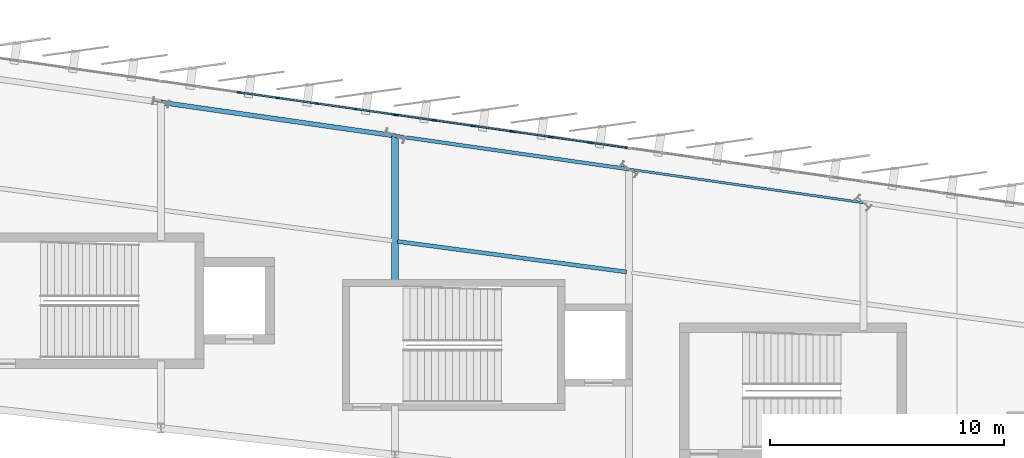
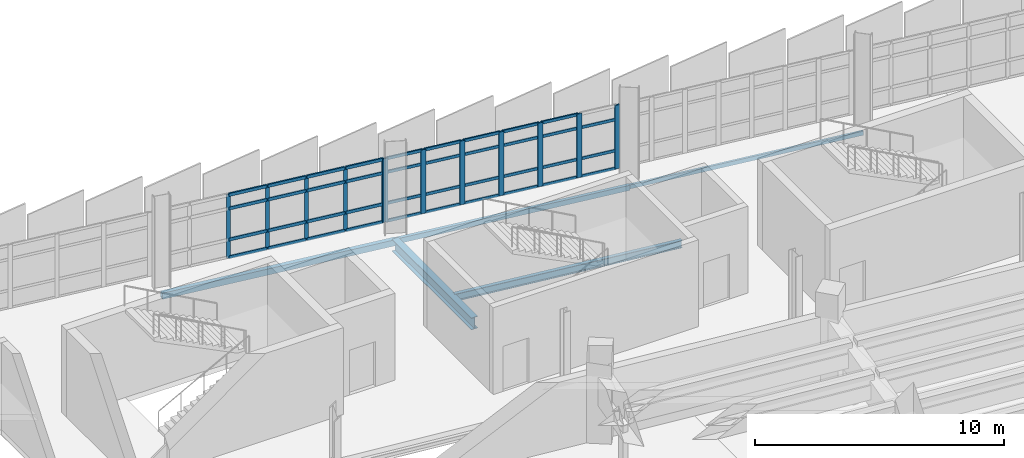
# One storey, part 54 of 120: 51 members, 5 beams, 2 elements without a shape of their own.
"""IFC4 building model written with IfcOpenShell, lengths in metres."""

from ifc_helpers import new_model, si_unit, direction, frame, origin, origin_2d, place, context, subcontext, project, spatial, rectangle, hollow_rectangle, i_section, extrude, material, layer, layer_set, material_profile, profile_set, type_object, element, aggregate, save


model = new_model("IFC4")

# Units and contexts
model_context = context("Model", 3, precision=1e-05, world=origin(), true_north=direction((0.0, 1.0)))
body_context = subcontext(model_context, "Body", "Model", "MODEL_VIEW")
ifc_project = project(units=[si_unit("LENGTHUNIT", "METRE"), si_unit("AREAUNIT", "SQUARE_METRE"), si_unit("VOLUMEUNIT", "CUBIC_METRE"), si_unit("PLANEANGLEUNIT", "RADIAN"), si_unit("MASSUNIT", "GRAM", prefix="KILO")], contexts=[model_context])

# Site, building, storey
site_placement = place(None, origin())
site = spatial("IfcSite", under=ifc_project, at=site_placement, CompositionType="ELEMENT")
building_placement = place(site_placement, origin())
building = spatial("IfcBuilding", under=site, at=building_placement, Name="Sohan Crest Arena", CompositionType="ELEMENT")
storey_placement = place(building_placement, frame((0.0, 0.0, 13.5)))
storey = spatial("IfcBuildingStorey", under=building, at=storey_placement, Name="L03", CompositionType="ELEMENT", Elevation=13.5)

# Curtain wall, members
ifc_material_1 = material(Name="Thermally broken anodised aluminium", Category="aluminium")
ifc_layer_1 = layer(ifc_material_1, 0.219970703125, Name="Thermally broken anodised aluminium")
ifc_layer_set_1 = layer_set([ifc_layer_1], Name="Thermally broken anodised aluminium")
curtain_wall_type_1 = type_object("IfcCurtainWallType", Name="ARC-CW03", PredefinedType="NOTDEFINED", material=ifc_layer_set_1)
curtain_wall_1_placement = place(storey_placement, origin())
curtain_wall_1 = element("IfcCurtainWall", 1, at=curtain_wall_1_placement, inside=storey, type_object=curtain_wall_type_1, Name="Unitised curtain wall CW-110", PredefinedType="NOTDEFINED")
ifc_material_profile_1 = material_profile(ifc_material_1, rectangle(XDim=0.06005859375, YDim=0.159912109375, at=origin_2d()), Name="ALU-MULL 60x160")
ifc_profile_set_1 = profile_set([ifc_material_profile_1], Name="Thermally broken anodised aluminium")
member_type_1 = type_object("IfcMemberType", Name="ARC-CW-ML01", PredefinedType="MULLION", material=ifc_profile_set_1)
member_1_placement = place(storey_placement, frame((117.97021484375, 124.047119140625, 0.0), z_axis=(0.0, 0.0, 1.0), x_axis=(-0.141365918403, -0.989957411768, 0.0)))
member_1 = element("IfcMember", 2, at=member_1_placement, type_object=member_type_1, Name="CW-110 mullion 1", PredefinedType="MULLION", context=body_context, shape_type="SweptSolid", body=[
    extrude(rectangle(XDim=0.06005859375, YDim=0.159912109375, at=origin_2d()), origin(), (0.0, 0.0, 1.0), 3.1201171875),
])
member_2_placement = place(storey_placement, frame((116.333251953125, 124.281005859375, 0.0), z_axis=(0.0, 0.0, 1.0), x_axis=(-0.141365918403, -0.989957411768, 0.0)))
member_2 = element("IfcMember", 3, at=member_2_placement, type_object=member_type_1, Name="CW-110 mullion 2", PredefinedType="MULLION", context=body_context, shape_type="SweptSolid", body=[
    extrude(rectangle(XDim=0.06005859375, YDim=0.159912109375, at=origin_2d()), origin(), (0.0, 0.0, 1.0), 3.1201171875),
])
member_3_placement = place(storey_placement, frame((114.666748046875, 124.51904296875, 0.0), z_axis=(0.0, 0.0, 1.0), x_axis=(-0.141365918403, -0.989957411768, 0.0)))
member_3 = element("IfcMember", 4, at=member_3_placement, type_object=member_type_1, Name="CW-110 mullion 3", PredefinedType="MULLION", context=body_context, shape_type="SweptSolid", body=[
    extrude(rectangle(XDim=0.06005859375, YDim=0.159912109375, at=origin_2d()), origin(), (0.0, 0.0, 1.0), 3.1201171875),
])
member_4_placement = place(storey_placement, frame((113.0, 124.757080078125, 0.0), z_axis=(0.0, 0.0, 1.0), x_axis=(-0.141365918403, -0.989957411768, 0.0)))
member_4 = element("IfcMember", 5, at=member_4_placement, type_object=member_type_1, Name="CW-110 mullion 4", PredefinedType="MULLION", context=body_context, shape_type="SweptSolid", body=[
    extrude(rectangle(XDim=0.06005859375, YDim=0.159912109375, at=origin_2d()), origin(), (0.0, 0.0, 1.0), 3.1201171875),
])
member_5_placement = place(storey_placement, frame((111.333251953125, 124.9951171875, 0.0), z_axis=(0.0, 0.0, 1.0), x_axis=(-0.141365918403, -0.989957411768, 0.0)))
member_5 = element("IfcMember", 6, at=member_5_placement, type_object=member_type_1, Name="CW-110 mullion 5", PredefinedType="MULLION", context=body_context, shape_type="SweptSolid", body=[
    extrude(rectangle(XDim=0.06005859375, YDim=0.159912109375, at=origin_2d()), origin(), (0.0, 0.0, 1.0), 3.1201171875),
])

ifc_layer_2 = layer(ifc_material_1, 0.199951171875, Name="Thermally broken anodised aluminium")
ifc_layer_set_2 = layer_set([ifc_layer_2], Name="Thermally broken anodised aluminium")
curtain_wall_type_2 = type_object("IfcCurtainWallType", Name="ARC-CW02", PredefinedType="NOTDEFINED", material=ifc_layer_set_2)
curtain_wall_2_placement = place(storey_placement, origin())
curtain_wall_2 = element("IfcCurtainWall", 7, at=curtain_wall_2_placement, inside=storey, type_object=curtain_wall_type_2, Name="Unitised curtain wall CW-109", PredefinedType="NOTDEFINED")
ifc_material_profile_2 = material_profile(ifc_material_1, rectangle(XDim=0.074951171875, YDim=0.219970703125, at=origin_2d()), Name="ALU-MULL 75x220")
ifc_profile_set_2 = profile_set([ifc_material_profile_2], Name="Thermally broken anodised aluminium")
member_type_2 = type_object("IfcMemberType", Name="ARC-CW-ML04", PredefinedType="MULLION", material=ifc_profile_set_2)
member_6_placement = place(storey_placement, frame((127.962890625, 122.619384765625, 0.0), z_axis=(0.0, 0.0, 1.0), x_axis=(-0.141462933734, -0.989943553128, 0.0)))
member_6 = element("IfcMember", 8, at=member_6_placement, type_object=member_type_2, Name="CW-109 mullion 1", PredefinedType="MULLION", context=body_context, shape_type="SweptSolid", body=[
    extrude(rectangle(XDim=0.074951171875, YDim=0.219970703125, at=origin_2d()), origin(), (0.0, 0.0, 1.0), 3.1201171875),
])
member_7_placement = place(storey_placement, frame((126.333251953125, 122.85205078125, 0.0), z_axis=(0.0, 0.0, 1.0), x_axis=(-0.141462933734, -0.989943553128, 0.0)))
member_7 = element("IfcMember", 9, at=member_7_placement, type_object=member_type_2, Name="CW-109 mullion 2", PredefinedType="MULLION", context=body_context, shape_type="SweptSolid", body=[
    extrude(rectangle(XDim=0.074951171875, YDim=0.219970703125, at=origin_2d()), origin(), (0.0, 0.0, 1.0), 3.1201171875),
])
member_8_placement = place(storey_placement, frame((124.666748046875, 123.09033203125, 0.0), z_axis=(0.0, 0.0, 1.0), x_axis=(-0.141462933734, -0.989943553128, 0.0)))
member_8 = element("IfcMember", 10, at=member_8_placement, type_object=member_type_2, Name="CW-109 mullion 3", PredefinedType="MULLION", context=body_context, shape_type="SweptSolid", body=[
    extrude(rectangle(XDim=0.074951171875, YDim=0.219970703125, at=origin_2d()), origin(), (0.0, 0.0, 1.0), 3.1201171875),
])
member_9_placement = place(storey_placement, frame((123.0, 123.32861328125, 0.0), z_axis=(0.0, 0.0, 1.0), x_axis=(-0.141462933734, -0.989943553128, 0.0)))
member_9 = element("IfcMember", 11, at=member_9_placement, type_object=member_type_2, Name="CW-109 mullion 4", PredefinedType="MULLION", context=body_context, shape_type="SweptSolid", body=[
    extrude(rectangle(XDim=0.074951171875, YDim=0.219970703125, at=origin_2d()), origin(), (0.0, 0.0, 1.0), 3.1201171875),
])
member_10_placement = place(storey_placement, frame((121.333251953125, 123.566650390625, 0.0), z_axis=(0.0, 0.0, 1.0), x_axis=(-0.141462933734, -0.989943553128, 0.0)))
member_10 = element("IfcMember", 12, at=member_10_placement, type_object=member_type_2, Name="CW-109 mullion 5", PredefinedType="MULLION", context=body_context, shape_type="SweptSolid", body=[
    extrude(rectangle(XDim=0.074951171875, YDim=0.219970703125, at=origin_2d()), origin(), (0.0, 0.0, 1.0), 3.1201171875),
])
member_11_placement = place(storey_placement, frame((119.666748046875, 123.804931640625, 0.0), z_axis=(0.0, 0.0, 1.0), x_axis=(-0.141462933734, -0.989943553128, 0.0)))
member_11 = element("IfcMember", 13, at=member_11_placement, type_object=member_type_2, Name="CW-109 mullion 6", PredefinedType="MULLION", context=body_context, shape_type="SweptSolid", body=[
    extrude(rectangle(XDim=0.074951171875, YDim=0.219970703125, at=origin_2d()), origin(), (0.0, 0.0, 1.0), 3.1201171875),
])
member_12_placement = place(storey_placement, frame((118.037109375, 124.03759765625, 0.0), z_axis=(0.0, 0.0, 1.0), x_axis=(-0.141462933734, -0.989943553128, 0.0)))
member_12 = element("IfcMember", 14, at=member_12_placement, type_object=member_type_2, Name="CW-109 mullion 7", PredefinedType="MULLION", context=body_context, shape_type="SweptSolid", body=[
    extrude(rectangle(XDim=0.074951171875, YDim=0.219970703125, at=origin_2d()), origin(), (0.0, 0.0, 1.0), 3.1201171875),
])
ifc_material_profile_3 = material_profile(ifc_material_1, rectangle(XDim=0.06494140625, YDim=0.139892578125, at=origin_2d()), Name="ALU-TRAN 65x140")
ifc_profile_set_3 = profile_set([ifc_material_profile_3], Name="Thermally broken anodised aluminium")
member_type_3 = type_object("IfcMemberType", Name="ARC-CW-TR02", PredefinedType="USERDEFINED", material=ifc_profile_set_3)
member_13_placement = place(storey_placement, frame((127.92578125, 122.62451171875, 0.032470703125), z_axis=(-0.989930839365, 0.141551874849, 0.0), x_axis=(-0.141551874849, -0.989930839365, 0.0)))
member_13 = element("IfcMember", 15, at=member_13_placement, type_object=member_type_3, Name="CW-109 transom 1.1", ObjectType="TRANSOM", PredefinedType="USERDEFINED", context=body_context, shape_type="SweptSolid", body=[
    extrude(rectangle(XDim=0.06494140625, YDim=0.139892578125, at=origin_2d()), origin(), (0.0, 0.0, 1.0), 1.5712890625),
])
member_14_placement = place(storey_placement, frame((127.92578125, 122.62451171875, 0.89990234375), z_axis=(-0.989930839365, 0.141551874849, 0.0), x_axis=(-0.141551874849, -0.989930839365, 0.0)))
member_14 = element("IfcMember", 16, at=member_14_placement, type_object=member_type_3, Name="CW-109 transom 1.2", ObjectType="TRANSOM", PredefinedType="USERDEFINED", context=body_context, shape_type="SweptSolid", body=[
    extrude(rectangle(XDim=0.06494140625, YDim=0.139892578125, at=origin_2d()), origin(), (0.0, 0.0, 1.0), 1.5712890625),
])
member_15_placement = place(storey_placement, frame((127.92578125, 122.62451171875, 2.419921875), z_axis=(-0.989930839365, 0.141551874849, 0.0), x_axis=(-0.141551874849, -0.989930839365, 0.0)))
member_15 = element("IfcMember", 17, at=member_15_placement, type_object=member_type_3, Name="CW-109 transom 1.3", ObjectType="TRANSOM", PredefinedType="USERDEFINED", context=body_context, shape_type="SweptSolid", body=[
    extrude(rectangle(XDim=0.06494140625, YDim=0.139892578125, at=origin_2d()), origin(), (0.0, 0.0, 1.0), 1.5712890625),
])
member_16_placement = place(storey_placement, frame((126.296142578125, 122.857421875, 0.032470703125), z_axis=(-0.989943421339, 0.141463855978, 0.0), x_axis=(-0.141463855978, -0.989943421339, 0.0)))
member_16 = element("IfcMember", 18, at=member_16_placement, type_object=member_type_3, Name="CW-109 transom 2.1", ObjectType="TRANSOM", PredefinedType="USERDEFINED", context=body_context, shape_type="SweptSolid", body=[
    extrude(rectangle(XDim=0.06494140625, YDim=0.139892578125, at=origin_2d()), origin(), (0.0, 0.0, 1.0), 1.6083984375),
])
member_17_placement = place(storey_placement, frame((126.296142578125, 122.857421875, 0.89990234375), z_axis=(-0.989943421339, 0.141463855978, 0.0), x_axis=(-0.141463855978, -0.989943421339, 0.0)))
member_17 = element("IfcMember", 19, at=member_17_placement, type_object=member_type_3, Name="CW-109 transom 2.2", ObjectType="TRANSOM", PredefinedType="USERDEFINED", context=body_context, shape_type="SweptSolid", body=[
    extrude(rectangle(XDim=0.06494140625, YDim=0.139892578125, at=origin_2d()), origin(), (0.0, 0.0, 1.0), 1.6083984375),
])
member_18_placement = place(storey_placement, frame((126.296142578125, 122.857421875, 2.419921875), z_axis=(-0.989943421339, 0.141463855978, 0.0), x_axis=(-0.141463855978, -0.989943421339, 0.0)))
member_18 = element("IfcMember", 20, at=member_18_placement, type_object=member_type_3, Name="CW-109 transom 2.3", ObjectType="TRANSOM", PredefinedType="USERDEFINED", context=body_context, shape_type="SweptSolid", body=[
    extrude(rectangle(XDim=0.06494140625, YDim=0.139892578125, at=origin_2d()), origin(), (0.0, 0.0, 1.0), 1.6083984375),
])
member_19_placement = place(storey_placement, frame((126.296142578125, 122.857421875, 3.08740234375), z_axis=(-0.989943421339, 0.141463855978, 0.0), x_axis=(-0.141463855978, -0.989943421339, 0.0)))
member_19 = element("IfcMember", 21, at=member_19_placement, type_object=member_type_3, Name="CW-109 transom 2.4", ObjectType="TRANSOM", PredefinedType="USERDEFINED", context=body_context, shape_type="SweptSolid", body=[
    extrude(rectangle(XDim=0.06494140625, YDim=0.139892578125, at=origin_2d()), origin(), (0.0, 0.0, 1.0), 1.6083984375),
])
member_20_placement = place(storey_placement, frame((124.629638671875, 123.095703125, 0.032470703125), z_axis=(-0.989946458184, 0.141442602948, 0.0), x_axis=(-0.141442602948, -0.989946458184, 0.0)))
member_20 = element("IfcMember", 22, at=member_20_placement, type_object=member_type_3, Name="CW-109 transom 3.1", ObjectType="TRANSOM", PredefinedType="USERDEFINED", context=body_context, shape_type="SweptSolid", body=[
    extrude(rectangle(XDim=0.06494140625, YDim=0.139892578125, at=origin_2d()), origin(), (0.0, 0.0, 1.0), 1.608642578125),
])
member_21_placement = place(storey_placement, frame((124.629638671875, 123.095703125, 0.89990234375), z_axis=(-0.989946458184, 0.141442602948, 0.0), x_axis=(-0.141442602948, -0.989946458184, 0.0)))
member_21 = element("IfcMember", 23, at=member_21_placement, type_object=member_type_3, Name="CW-109 transom 3.2", ObjectType="TRANSOM", PredefinedType="USERDEFINED", context=body_context, shape_type="SweptSolid", body=[
    extrude(rectangle(XDim=0.06494140625, YDim=0.139892578125, at=origin_2d()), origin(), (0.0, 0.0, 1.0), 1.608642578125),
])
member_22_placement = place(storey_placement, frame((124.629638671875, 123.095703125, 2.419921875), z_axis=(-0.989946458184, 0.141442602948, 0.0), x_axis=(-0.141442602948, -0.989946458184, 0.0)))
member_22 = element("IfcMember", 24, at=member_22_placement, type_object=member_type_3, Name="CW-109 transom 3.3", ObjectType="TRANSOM", PredefinedType="USERDEFINED", context=body_context, shape_type="SweptSolid", body=[
    extrude(rectangle(XDim=0.06494140625, YDim=0.139892578125, at=origin_2d()), origin(), (0.0, 0.0, 1.0), 1.608642578125),
])
member_23_placement = place(storey_placement, frame((124.629638671875, 123.095703125, 3.08740234375), z_axis=(-0.989946458184, 0.141442602948, 0.0), x_axis=(-0.141442602948, -0.989946458184, 0.0)))
member_23 = element("IfcMember", 25, at=member_23_placement, type_object=member_type_3, Name="CW-109 transom 3.4", ObjectType="TRANSOM", PredefinedType="USERDEFINED", context=body_context, shape_type="SweptSolid", body=[
    extrude(rectangle(XDim=0.06494140625, YDim=0.139892578125, at=origin_2d()), origin(), (0.0, 0.0, 1.0), 1.608642578125),
])
member_24_placement = place(storey_placement, frame((122.962890625, 123.333740234375, 0.032470703125), z_axis=(-0.989946458184, 0.141442602948, 0.0), x_axis=(-0.141442602948, -0.989946458184, 0.0)))
member_24 = element("IfcMember", 26, at=member_24_placement, type_object=member_type_3, Name="CW-109 transom 4.1", ObjectType="TRANSOM", PredefinedType="USERDEFINED", context=body_context, shape_type="SweptSolid", body=[
    extrude(rectangle(XDim=0.06494140625, YDim=0.139892578125, at=origin_2d()), origin(), (0.0, 0.0, 1.0), 1.608642578125),
])
member_25_placement = place(storey_placement, frame((122.962890625, 123.333740234375, 0.89990234375), z_axis=(-0.989946458184, 0.141442602948, 0.0), x_axis=(-0.141442602948, -0.989946458184, 0.0)))
member_25 = element("IfcMember", 27, at=member_25_placement, type_object=member_type_3, Name="CW-109 transom 4.2", ObjectType="TRANSOM", PredefinedType="USERDEFINED", context=body_context, shape_type="SweptSolid", body=[
    extrude(rectangle(XDim=0.06494140625, YDim=0.139892578125, at=origin_2d()), origin(), (0.0, 0.0, 1.0), 1.608642578125),
])
member_26_placement = place(storey_placement, frame((122.962890625, 123.333740234375, 2.419921875), z_axis=(-0.989946458184, 0.141442602948, 0.0), x_axis=(-0.141442602948, -0.989946458184, 0.0)))
member_26 = element("IfcMember", 28, at=member_26_placement, type_object=member_type_3, Name="CW-109 transom 4.3", ObjectType="TRANSOM", PredefinedType="USERDEFINED", context=body_context, shape_type="SweptSolid", body=[
    extrude(rectangle(XDim=0.06494140625, YDim=0.139892578125, at=origin_2d()), origin(), (0.0, 0.0, 1.0), 1.608642578125),
])
member_27_placement = place(storey_placement, frame((122.962890625, 123.333740234375, 3.08740234375), z_axis=(-0.989946458184, 0.141442602948, 0.0), x_axis=(-0.141442602948, -0.989946458184, 0.0)))
member_27 = element("IfcMember", 29, at=member_27_placement, type_object=member_type_3, Name="CW-109 transom 4.4", ObjectType="TRANSOM", PredefinedType="USERDEFINED", context=body_context, shape_type="SweptSolid", body=[
    extrude(rectangle(XDim=0.06494140625, YDim=0.139892578125, at=origin_2d()), origin(), (0.0, 0.0, 1.0), 1.608642578125),
])
member_28_placement = place(storey_placement, frame((121.296142578125, 123.572021484375, 0.032470703125), z_axis=(-0.989943421339, 0.141463855978, 0.0), x_axis=(-0.141463855978, -0.989943421339, 0.0)))
member_28 = element("IfcMember", 30, at=member_28_placement, type_object=member_type_3, Name="CW-109 transom 5.1", ObjectType="TRANSOM", PredefinedType="USERDEFINED", context=body_context, shape_type="SweptSolid", body=[
    extrude(rectangle(XDim=0.06494140625, YDim=0.139892578125, at=origin_2d()), origin(), (0.0, 0.0, 1.0), 1.6083984375),
])
member_29_placement = place(storey_placement, frame((121.296142578125, 123.572021484375, 0.89990234375), z_axis=(-0.989943421339, 0.141463855978, 0.0), x_axis=(-0.141463855978, -0.989943421339, 0.0)))
member_29 = element("IfcMember", 31, at=member_29_placement, type_object=member_type_3, Name="CW-109 transom 5.2", ObjectType="TRANSOM", PredefinedType="USERDEFINED", context=body_context, shape_type="SweptSolid", body=[
    extrude(rectangle(XDim=0.06494140625, YDim=0.139892578125, at=origin_2d()), origin(), (0.0, 0.0, 1.0), 1.6083984375),
])
member_30_placement = place(storey_placement, frame((121.296142578125, 123.572021484375, 2.419921875), z_axis=(-0.989943421339, 0.141463855978, 0.0), x_axis=(-0.141463855978, -0.989943421339, 0.0)))
member_30 = element("IfcMember", 32, at=member_30_placement, type_object=member_type_3, Name="CW-109 transom 5.3", ObjectType="TRANSOM", PredefinedType="USERDEFINED", context=body_context, shape_type="SweptSolid", body=[
    extrude(rectangle(XDim=0.06494140625, YDim=0.139892578125, at=origin_2d()), origin(), (0.0, 0.0, 1.0), 1.6083984375),
])
member_31_placement = place(storey_placement, frame((121.296142578125, 123.572021484375, 3.08740234375), z_axis=(-0.989943421339, 0.141463855978, 0.0), x_axis=(-0.141463855978, -0.989943421339, 0.0)))
member_31 = element("IfcMember", 33, at=member_31_placement, type_object=member_type_3, Name="CW-109 transom 5.4", ObjectType="TRANSOM", PredefinedType="USERDEFINED", context=body_context, shape_type="SweptSolid", body=[
    extrude(rectangle(XDim=0.06494140625, YDim=0.139892578125, at=origin_2d()), origin(), (0.0, 0.0, 1.0), 1.6083984375),
])
member_32_placement = place(storey_placement, frame((119.629638671875, 123.81005859375, 0.032470703125), z_axis=(-0.989930839365, 0.141551874849, 0.0), x_axis=(-0.141551874849, -0.989930839365, 0.0)))
member_32 = element("IfcMember", 34, at=member_32_placement, type_object=member_type_3, Name="CW-109 transom 6.1", ObjectType="TRANSOM", PredefinedType="USERDEFINED", context=body_context, shape_type="SweptSolid", body=[
    extrude(rectangle(XDim=0.06494140625, YDim=0.139892578125, at=origin_2d()), origin(), (0.0, 0.0, 1.0), 1.5712890625),
])
member_33_placement = place(storey_placement, frame((119.629638671875, 123.81005859375, 0.89990234375), z_axis=(-0.989930839365, 0.141551874849, 0.0), x_axis=(-0.141551874849, -0.989930839365, 0.0)))
member_33 = element("IfcMember", 35, at=member_33_placement, type_object=member_type_3, Name="CW-109 transom 6.2", ObjectType="TRANSOM", PredefinedType="USERDEFINED", context=body_context, shape_type="SweptSolid", body=[
    extrude(rectangle(XDim=0.06494140625, YDim=0.139892578125, at=origin_2d()), origin(), (0.0, 0.0, 1.0), 1.5712890625),
])
member_34_placement = place(storey_placement, frame((119.629638671875, 123.81005859375, 2.419921875), z_axis=(-0.989930839365, 0.141551874849, 0.0), x_axis=(-0.141551874849, -0.989930839365, 0.0)))
member_34 = element("IfcMember", 36, at=member_34_placement, type_object=member_type_3, Name="CW-109 transom 6.3", ObjectType="TRANSOM", PredefinedType="USERDEFINED", context=body_context, shape_type="SweptSolid", body=[
    extrude(rectangle(XDim=0.06494140625, YDim=0.139892578125, at=origin_2d()), origin(), (0.0, 0.0, 1.0), 1.5712890625),
])
member_35_placement = place(storey_placement, frame((119.629638671875, 123.81005859375, 3.08740234375), z_axis=(-0.989930839365, 0.141551874849, 0.0), x_axis=(-0.141551874849, -0.989930839365, 0.0)))
member_35 = element("IfcMember", 37, at=member_35_placement, type_object=member_type_3, Name="CW-109 transom 6.4", ObjectType="TRANSOM", PredefinedType="USERDEFINED", context=body_context, shape_type="SweptSolid", body=[
    extrude(rectangle(XDim=0.06494140625, YDim=0.139892578125, at=origin_2d()), origin(), (0.0, 0.0, 1.0), 1.5712890625),
])
aggregate(curtain_wall_2, [member_6, member_7, member_8, member_9, member_10, member_11, member_12, member_13, member_14, member_15, member_16, member_17, member_18, member_19, member_20, member_21, member_22, member_23, member_24, member_25, member_26, member_27, member_28, member_29, member_30, member_31, member_32, member_33, member_34, member_35])

# Member
ifc_material_profile_4 = material_profile(ifc_material_1, rectangle(XDim=0.070068359375, YDim=0.14990234375, at=origin_2d()), Name="ALU-TRAN 70x150")
ifc_profile_set_4 = profile_set([ifc_material_profile_4], Name="Thermally broken anodised aluminium")
member_type_4 = type_object("IfcMemberType", Name="ARC-CW-TR03", PredefinedType="USERDEFINED", material=ifc_profile_set_4)
member_36_placement = place(storey_placement, frame((117.940673828125, 124.051513671875, 0.034912109375), z_axis=(-0.989952557349, 0.141399908764, 0.0), x_axis=(-0.141399908764, -0.989952557349, 0.0)))
member_36 = element("IfcMember", 38, at=member_36_placement, type_object=member_type_4, Name="CW-110 transom 1.1", ObjectType="TRANSOM", PredefinedType="USERDEFINED", context=body_context, shape_type="SweptSolid", body=[
    extrude(rectangle(XDim=0.070068359375, YDim=0.14990234375, at=origin_2d()), origin(), (0.0, 0.0, 1.0), 1.59375),
])

member_37_placement = place(storey_placement, frame((117.940673828125, 124.051513671875, 0.89990234375), z_axis=(-0.989952557349, 0.141399908764, 0.0), x_axis=(-0.141399908764, -0.989952557349, 0.0)))
member_37 = element("IfcMember", 39, at=member_37_placement, type_object=member_type_4, Name="CW-110 transom 1.2", ObjectType="TRANSOM", PredefinedType="USERDEFINED", context=body_context, shape_type="SweptSolid", body=[
    extrude(rectangle(XDim=0.070068359375, YDim=0.14990234375, at=origin_2d()), origin(), (0.0, 0.0, 1.0), 1.59375),
])

member_38_placement = place(storey_placement, frame((117.940673828125, 124.051513671875, 2.419921875), z_axis=(-0.989952557349, 0.141399908764, 0.0), x_axis=(-0.141399908764, -0.989952557349, 0.0)))
member_38 = element("IfcMember", 40, at=member_38_placement, type_object=member_type_4, Name="CW-110 transom 1.3", ObjectType="TRANSOM", PredefinedType="USERDEFINED", context=body_context, shape_type="SweptSolid", body=[
    extrude(rectangle(XDim=0.070068359375, YDim=0.14990234375, at=origin_2d()), origin(), (0.0, 0.0, 1.0), 1.59375),
])

member_39_placement = place(storey_placement, frame((117.940673828125, 124.051513671875, 3.0849609375), z_axis=(-0.989952557349, 0.141399908764, 0.0), x_axis=(-0.141399908764, -0.989952557349, 0.0)))
member_39 = element("IfcMember", 41, at=member_39_placement, type_object=member_type_4, Name="CW-110 transom 1.4", ObjectType="TRANSOM", PredefinedType="USERDEFINED", context=body_context, shape_type="SweptSolid", body=[
    extrude(rectangle(XDim=0.070068359375, YDim=0.14990234375, at=origin_2d()), origin(), (0.0, 0.0, 1.0), 1.59375),
])

member_40_placement = place(storey_placement, frame((116.3037109375, 124.28515625, 0.034912109375), z_axis=(-0.989961518774, 0.141337154868, 0.0), x_axis=(-0.141337154868, -0.989961518774, 0.0)))
member_40 = element("IfcMember", 42, at=member_40_placement, type_object=member_type_4, Name="CW-110 transom 2.1", ObjectType="TRANSOM", PredefinedType="USERDEFINED", context=body_context, shape_type="SweptSolid", body=[
    extrude(rectangle(XDim=0.070068359375, YDim=0.14990234375, at=origin_2d()), origin(), (0.0, 0.0, 1.0), 1.623779296875),
])

member_41_placement = place(storey_placement, frame((116.3037109375, 124.28515625, 0.89990234375), z_axis=(-0.989961518774, 0.141337154868, 0.0), x_axis=(-0.141337154868, -0.989961518774, 0.0)))
member_41 = element("IfcMember", 43, at=member_41_placement, type_object=member_type_4, Name="CW-110 transom 2.2", ObjectType="TRANSOM", PredefinedType="USERDEFINED", context=body_context, shape_type="SweptSolid", body=[
    extrude(rectangle(XDim=0.070068359375, YDim=0.14990234375, at=origin_2d()), origin(), (0.0, 0.0, 1.0), 1.623779296875),
])

member_42_placement = place(storey_placement, frame((116.3037109375, 124.28515625, 2.419921875), z_axis=(-0.989961518774, 0.141337154868, 0.0), x_axis=(-0.141337154868, -0.989961518774, 0.0)))
member_42 = element("IfcMember", 44, at=member_42_placement, type_object=member_type_4, Name="CW-110 transom 2.3", ObjectType="TRANSOM", PredefinedType="USERDEFINED", context=body_context, shape_type="SweptSolid", body=[
    extrude(rectangle(XDim=0.070068359375, YDim=0.14990234375, at=origin_2d()), origin(), (0.0, 0.0, 1.0), 1.623779296875),
])

member_43_placement = place(storey_placement, frame((116.3037109375, 124.28515625, 3.0849609375), z_axis=(-0.989961518774, 0.141337154868, 0.0), x_axis=(-0.141337154868, -0.989961518774, 0.0)))
member_43 = element("IfcMember", 45, at=member_43_placement, type_object=member_type_4, Name="CW-110 transom 2.4", ObjectType="TRANSOM", PredefinedType="USERDEFINED", context=body_context, shape_type="SweptSolid", body=[
    extrude(rectangle(XDim=0.070068359375, YDim=0.14990234375, at=origin_2d()), origin(), (0.0, 0.0, 1.0), 1.623779296875),
])

member_44_placement = place(storey_placement, frame((114.636962890625, 124.523193359375, 0.034912109375), z_axis=(-0.98995851451, 0.141358195904, 0.0), x_axis=(-0.141358195904, -0.98995851451, 0.0)))
member_44 = element("IfcMember", 46, at=member_44_placement, type_object=member_type_4, Name="CW-110 transom 3.1", ObjectType="TRANSOM", PredefinedType="USERDEFINED", context=body_context, shape_type="SweptSolid", body=[
    extrude(rectangle(XDim=0.070068359375, YDim=0.14990234375, at=origin_2d()), origin(), (0.0, 0.0, 1.0), 1.62353515625),
])

member_45_placement = place(storey_placement, frame((114.636962890625, 124.523193359375, 0.89990234375), z_axis=(-0.98995851451, 0.141358195904, 0.0), x_axis=(-0.141358195904, -0.98995851451, 0.0)))
member_45 = element("IfcMember", 47, at=member_45_placement, type_object=member_type_4, Name="CW-110 transom 3.2", ObjectType="TRANSOM", PredefinedType="USERDEFINED", context=body_context, shape_type="SweptSolid", body=[
    extrude(rectangle(XDim=0.070068359375, YDim=0.14990234375, at=origin_2d()), origin(), (0.0, 0.0, 1.0), 1.62353515625),
])

member_46_placement = place(storey_placement, frame((114.636962890625, 124.523193359375, 2.419921875), z_axis=(-0.98995851451, 0.141358195904, 0.0), x_axis=(-0.141358195904, -0.98995851451, 0.0)))
member_46 = element("IfcMember", 48, at=member_46_placement, type_object=member_type_4, Name="CW-110 transom 3.3", ObjectType="TRANSOM", PredefinedType="USERDEFINED", context=body_context, shape_type="SweptSolid", body=[
    extrude(rectangle(XDim=0.070068359375, YDim=0.14990234375, at=origin_2d()), origin(), (0.0, 0.0, 1.0), 1.62353515625),
])

member_47_placement = place(storey_placement, frame((114.636962890625, 124.523193359375, 3.0849609375), z_axis=(-0.98995851451, 0.141358195904, 0.0), x_axis=(-0.141358195904, -0.98995851451, 0.0)))
member_47 = element("IfcMember", 49, at=member_47_placement, type_object=member_type_4, Name="CW-110 transom 3.4", ObjectType="TRANSOM", PredefinedType="USERDEFINED", context=body_context, shape_type="SweptSolid", body=[
    extrude(rectangle(XDim=0.070068359375, YDim=0.14990234375, at=origin_2d()), origin(), (0.0, 0.0, 1.0), 1.62353515625),
])

member_48_placement = place(storey_placement, frame((112.97021484375, 124.76123046875, 0.034912109375), z_axis=(-0.98995851451, 0.141358195904, 0.0), x_axis=(-0.141358195904, -0.98995851451, 0.0)))
member_48 = element("IfcMember", 50, at=member_48_placement, type_object=member_type_4, Name="CW-110 transom 4.1", ObjectType="TRANSOM", PredefinedType="USERDEFINED", context=body_context, shape_type="SweptSolid", body=[
    extrude(rectangle(XDim=0.070068359375, YDim=0.14990234375, at=origin_2d()), origin(), (0.0, 0.0, 1.0), 1.62353515625),
])

member_49_placement = place(storey_placement, frame((112.97021484375, 124.76123046875, 0.89990234375), z_axis=(-0.98995851451, 0.141358195904, 0.0), x_axis=(-0.141358195904, -0.98995851451, 0.0)))
member_49 = element("IfcMember", 51, at=member_49_placement, type_object=member_type_4, Name="CW-110 transom 4.2", ObjectType="TRANSOM", PredefinedType="USERDEFINED", context=body_context, shape_type="SweptSolid", body=[
    extrude(rectangle(XDim=0.070068359375, YDim=0.14990234375, at=origin_2d()), origin(), (0.0, 0.0, 1.0), 1.62353515625),
])

member_50_placement = place(storey_placement, frame((112.97021484375, 124.76123046875, 2.419921875), z_axis=(-0.98995851451, 0.141358195904, 0.0), x_axis=(-0.141358195904, -0.98995851451, 0.0)))
member_50 = element("IfcMember", 52, at=member_50_placement, type_object=member_type_4, Name="CW-110 transom 4.3", ObjectType="TRANSOM", PredefinedType="USERDEFINED", context=body_context, shape_type="SweptSolid", body=[
    extrude(rectangle(XDim=0.070068359375, YDim=0.14990234375, at=origin_2d()), origin(), (0.0, 0.0, 1.0), 1.62353515625),
])

member_51_placement = place(storey_placement, frame((112.97021484375, 124.76123046875, 3.0849609375), z_axis=(-0.98995851451, 0.141358195904, 0.0), x_axis=(-0.141358195904, -0.98995851451, 0.0)))
member_51 = element("IfcMember", 53, at=member_51_placement, type_object=member_type_4, Name="CW-110 transom 4.4", ObjectType="TRANSOM", PredefinedType="USERDEFINED", context=body_context, shape_type="SweptSolid", body=[
    extrude(rectangle(XDim=0.070068359375, YDim=0.14990234375, at=origin_2d()), origin(), (0.0, 0.0, 1.0), 1.62353515625),
])

aggregate(curtain_wall_1, [member_1, member_2, member_3, member_4, member_5, member_36, member_37, member_38, member_39, member_40, member_41, member_42, member_43, member_44, member_45, member_46, member_47, member_48, member_49, member_50, member_51])

# Beams
ifc_material_2 = material(Name="Steel S355", Category="steel")
ifc_material_profile_5 = material_profile(ifc_material_2, i_section(OverallWidth=0.169921875, OverallDepth=0.360107421875, WebThickness=0.008056640625, FlangeThickness=0.0126953125, at=origin_2d()), Name="IPE 360")
ifc_profile_set_5 = profile_set([ifc_material_profile_5], Name="Steel S355")
beam_type_1 = type_object("IfcBeamType", Name="STR-BM-B02", PredefinedType="JOIST", material=ifc_profile_set_5)
beam_1_placement = place(storey_placement, frame((127.89111328125, 117.325927734375, -0.429931640625), z_axis=(-0.991232437337, 0.132129690721, 0.0), x_axis=(-0.132129690721, -0.991232437337, 0.0)))
element("IfcBeam", 54, at=beam_1_placement, inside=storey, type_object=beam_type_1, Name="Structural beam J-L03-1542", PredefinedType="JOIST", context=body_context, shape_type="SweptSolid", body=[
    extrude(i_section(OverallWidth=0.169921875, OverallDepth=0.360107421875, WebThickness=0.008056640625, FlangeThickness=0.0126953125, at=origin_2d()), origin(), (0.0, 0.0, 1.0), 9.86865234375),
])
ifc_material_profile_6 = material_profile(ifc_material_2, i_section(OverallWidth=0.300048828125, OverallDepth=0.590087890625, WebThickness=0.012939453125, FlangeThickness=0.02490234375, at=origin_2d()), Name="HEA 600")
ifc_profile_set_6 = profile_set([ifc_material_profile_6], Name="Steel S355")
beam_type_2 = type_object("IfcBeamType", Name="STR-BM-B11", PredefinedType="BEAM", material=ifc_profile_set_6)
beam_2_placement = place(storey_placement, frame((118.0, 116.780029296875, -0.544921875), z_axis=(0.0, 1.0, 0.0), x_axis=(-1.0, 0.0, 0.0)))
element("IfcBeam", 55, at=beam_2_placement, inside=storey, type_object=beam_type_2, Name="Structural beam G-L03-1544", PredefinedType="BEAM", context=body_context, shape_type="SweptSolid", body=[
    extrude(i_section(OverallWidth=0.300048828125, OverallDepth=0.590087890625, WebThickness=0.012939453125, FlangeThickness=0.02490234375, at=origin_2d()), origin(), (0.0, 0.0, 1.0), 6.363037109375),
])
ifc_material_profile_7 = material_profile(ifc_material_2, hollow_rectangle(XDim=0.10009765625, YDim=0.199951171875, WallThickness=0.008056640625, at=origin_2d()), Name="RHS 200x100x8")
ifc_profile_set_7 = profile_set([ifc_material_profile_7], Name="Steel S355")
beam_type_3 = type_object("IfcBeamType", Name="STR-BM-SP01", PredefinedType="SPANDREL", material=ifc_profile_set_7)
beam_3_placement = place(storey_placement, frame((138.0, 120.285888671875, -0.35009765625), z_axis=(-0.989954326844, 0.141387519825, 0.0), x_axis=(-0.141387519825, -0.989954326844, 0.0)))
element("IfcBeam", 56, at=beam_3_placement, inside=storey, type_object=beam_type_3, Name="Structural beam SP-L03-1537", PredefinedType="SPANDREL", context=body_context, shape_type="SweptSolid", body=[
    extrude(hollow_rectangle(XDim=0.10009765625, YDim=0.199951171875, WallThickness=0.008056640625, at=origin_2d()), origin(), (0.0, 0.0, 1.0), 10.1015625),
])
ifc_material_profile_8 = material_profile(ifc_material_2, hollow_rectangle(XDim=0.14990234375, YDim=0.25, WallThickness=0.010009765625, at=origin_2d()), Name="RHS 250x150x10")
ifc_profile_set_8 = profile_set([ifc_material_profile_8], Name="Steel S355")
beam_type_4 = type_object("IfcBeamType", Name="STR-BM-SP02", PredefinedType="SPANDREL", material=ifc_profile_set_8)
beam_4_placement = place(storey_placement, frame((128.0, 121.714111328125, -0.375), z_axis=(-0.989944175879, 0.141458575718, 0.0), x_axis=(-0.141458575718, -0.989944175879, 0.0)))
element("IfcBeam", 57, at=beam_4_placement, inside=storey, type_object=beam_type_4, Name="Structural beam SP-L03-1541", PredefinedType="SPANDREL", context=body_context, shape_type="SweptSolid", body=[
    extrude(hollow_rectangle(XDim=0.14990234375, YDim=0.25, WallThickness=0.010009765625, at=origin_2d()), origin(), (0.0, 0.0, 1.0), 10.1015625),
])
ifc_material_profile_9 = material_profile(ifc_material_2, hollow_rectangle(XDim=0.199951171875, YDim=0.300048828125, WallThickness=0.010009765625, at=origin_2d()), Name="RHS 300x200x10")
ifc_profile_set_9 = profile_set([ifc_material_profile_9], Name="Steel S355")
beam_type_5 = type_object("IfcBeamType", Name="STR-BM-SP03", PredefinedType="SPANDREL", material=ifc_profile_set_9)
beam_5_placement = place(storey_placement, frame((118.0, 123.14306640625, -0.39990234375), z_axis=(-0.989957709412, 0.141363834042, 0.0), x_axis=(-0.141363834042, -0.989957709412, 0.0)))
element("IfcBeam", 58, at=beam_5_placement, inside=storey, type_object=beam_type_5, Name="Structural beam SP-L03-1546", PredefinedType="SPANDREL", context=body_context, shape_type="SweptSolid", body=[
    extrude(hollow_rectangle(XDim=0.199951171875, YDim=0.300048828125, WallThickness=0.010009765625, at=origin_2d()), origin(), (0.0, 0.0, 1.0), 10.1015625),
])

save(model, "model.ifc")
